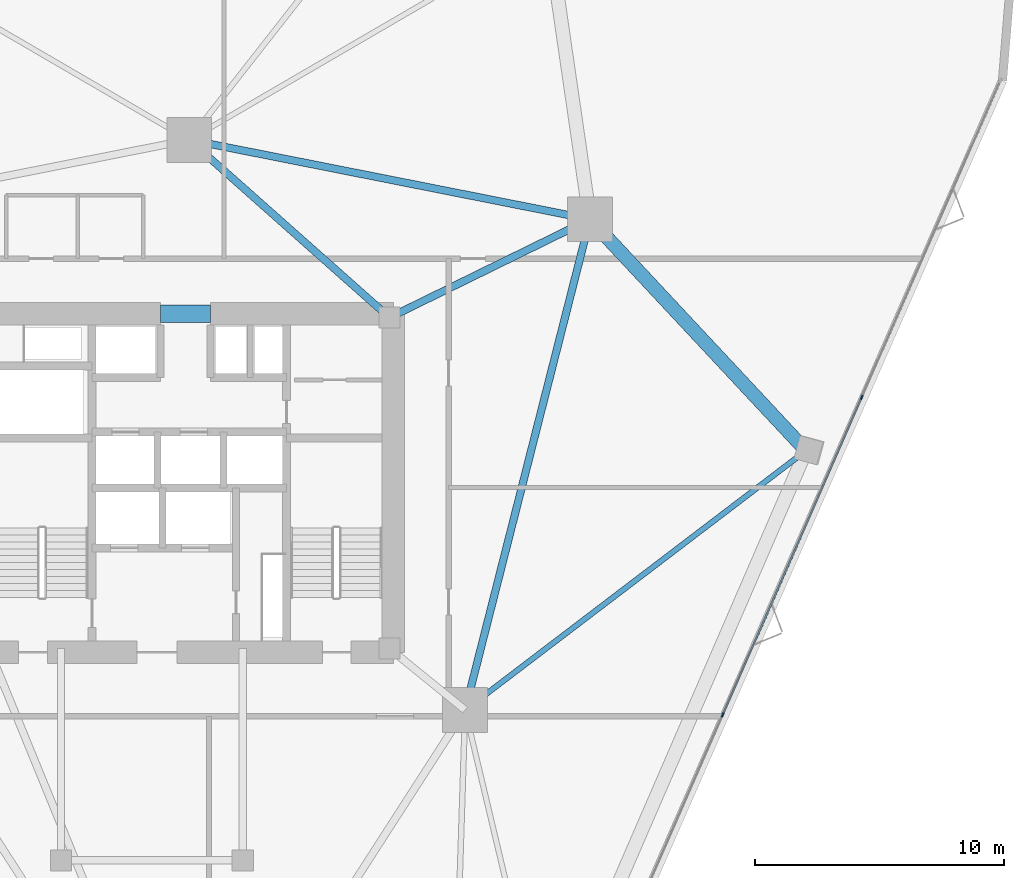
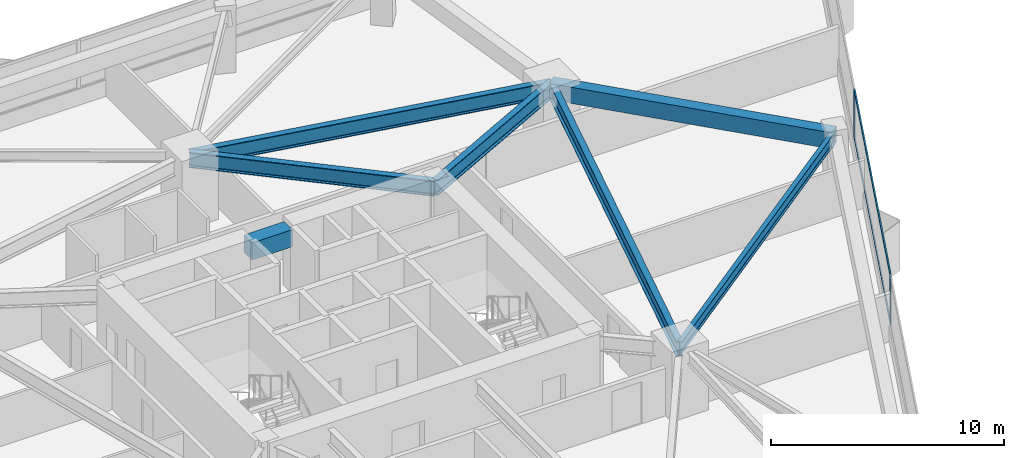
# One storey, part 10 of 20: 7 beams, 4 members, 1 element without a shape of its own.
"""IFC4 building model written with IfcOpenShell, lengths in metres."""

from ifc_helpers import new_model, si_unit, direction, frame, origin, origin_2d, place, context, subcontext, project, spatial, rectangle, i_section, extrude, material, layer, layer_set, material_profile, profile_set, type_object, element, aggregate, save


model = new_model("IFC4")

# Units and contexts
model_context = context("Model", 3, precision=1e-05, world=origin(), true_north=direction((0.0, 1.0)))
body_context = subcontext(model_context, "Body", "Model", "MODEL_VIEW")
ifc_project = project(units=[si_unit("LENGTHUNIT", "METRE"), si_unit("AREAUNIT", "SQUARE_METRE"), si_unit("VOLUMEUNIT", "CUBIC_METRE"), si_unit("PLANEANGLEUNIT", "RADIAN"), si_unit("MASSUNIT", "GRAM", prefix="KILO")], contexts=[model_context])

# Site, building, storey
site_placement = place(None, origin())
site = spatial("IfcSite", under=ifc_project, at=site_placement, CompositionType="ELEMENT")
building_placement = place(site_placement, origin())
building = spatial("IfcBuilding", under=site, at=building_placement, Name="Talyreon Biosciences Tower", CompositionType="ELEMENT")
storey_placement = place(building_placement, frame((0.0, 0.0, 59.300048828125)))
storey = spatial("IfcBuildingStorey", under=building, at=storey_placement, Name="L15", CompositionType="ELEMENT", Elevation=59.300048828125)

# Curtain wall, members
ifc_material_1 = material(Name="Thermally broken aluminium and low-E glazing", Category="aluminium")
ifc_layer = layer(ifc_material_1, 0.195068359375)
ifc_layer_set = layer_set([ifc_layer], Name="Thermally broken aluminium and low-E glazing")
curtain_wall_type = type_object("IfcCurtainWallType", Name="CurtainWall_Zone1WetLab", PredefinedType="NOTDEFINED", material=ifc_layer_set)
curtain_wall_placement = place(storey_placement, origin())
curtain_wall = element("IfcCurtainWall", 1, at=curtain_wall_placement, inside=storey, type_object=curtain_wall_type, Name="L15 Unitised Curtain Wall FCW-L15-08", PredefinedType="NOTDEFINED")
ifc_material_2 = material(Name="Anodised thermally broken aluminium", Category="aluminium")
ifc_material_profile_1 = material_profile(ifc_material_2, rectangle(XDim=0.06494140625, YDim=0.179931640625, at=origin_2d()), Name="ALUM MULLION 65x180")
ifc_profile_set_1 = profile_set([ifc_material_profile_1], Name="Anodised thermally broken aluminium")
member_type_1 = type_object("IfcMemberType", Name="CWMullion_65x180", PredefinedType="MULLION", material=ifc_profile_set_1)
member_1_placement = place(storey_placement, frame((93.022705078125, 71.4453125, 0.81005859375), z_axis=(0.0, 0.0, 1.0), x_axis=(0.916092182361, -0.400967721165, 0.0)))
member_1 = element("IfcMember", 2, at=member_1_placement, type_object=member_type_1, Name="CW2 mullion 2", PredefinedType="MULLION", context=body_context, shape_type="SweptSolid", body=[
    extrude(rectangle(XDim=0.06494140625, YDim=0.179931640625, at=origin_2d()), origin(), (0.0, 0.0, 1.0), 2.56494140625),
])
member_2_placement = place(storey_placement, frame((87.439697265625, 58.689453125, 0.81005859375), z_axis=(0.0, 0.0, 1.0), x_axis=(0.916092182361, -0.400967721165, 0.0)))
member_2 = element("IfcMember", 3, at=member_2_placement, type_object=member_type_1, Name="CW2 mullion 3", PredefinedType="MULLION", context=body_context, shape_type="SweptSolid", body=[
    extrude(rectangle(XDim=0.06494140625, YDim=0.179931640625, at=origin_2d()), origin(), (0.0, 0.0, 1.0), 2.56494140625),
])
ifc_material_profile_2 = material_profile(ifc_material_2, rectangle(XDim=0.06494140625, YDim=0.139892578125, at=origin_2d()), Name="ALUM TRANSOM 65x140")
ifc_profile_set_2 = profile_set([ifc_material_profile_2], Name="Anodised thermally broken aluminium")
member_type_2 = type_object("IfcMemberType", Name="CWTransom_65x140", PredefinedType="USERDEFINED", material=ifc_profile_set_2)
member_3_placement = place(storey_placement, frame((93.009765625, 71.41552734375, 0.842529296875), z_axis=(-0.400970381999, -0.916091017727, 0.0), x_axis=(0.916091017727, -0.400970381999, 0.0)))
member_3 = element("IfcMember", 4, at=member_3_placement, type_object=member_type_2, Name="CW2 transom 2.1", ObjectType="TRANSOM", PredefinedType="USERDEFINED", context=body_context, shape_type="SweptSolid", body=[
    extrude(rectangle(XDim=0.06494140625, YDim=0.139892578125, at=origin_2d()), origin(), (0.0, 0.0, 1.0), 13.859130859375),
])
member_4_placement = place(storey_placement, frame((93.009765625, 71.41552734375, 3.342529296875), z_axis=(-0.400970381999, -0.916091017727, 0.0), x_axis=(0.916091017727, -0.400970381999, 0.0)))
member_4 = element("IfcMember", 5, at=member_4_placement, type_object=member_type_2, Name="CW2 transom 2.2", ObjectType="TRANSOM", PredefinedType="USERDEFINED", context=body_context, shape_type="SweptSolid", body=[
    extrude(rectangle(XDim=0.06494140625, YDim=0.139892578125, at=origin_2d()), origin(), (0.0, 0.0, 1.0), 13.859130859375),
])
aggregate(curtain_wall, [member_1, member_2, member_3, member_4])

# Beams
ifc_material_3 = material(Name="Concrete C60/75", Category="concrete")
ifc_material_profile_3 = material_profile(ifc_material_3, rectangle(XDim=0.699951171875, YDim=0.89990234375, at=origin_2d()), Name="RCB 700x900")
ifc_profile_set_3 = profile_set([ifc_material_profile_3], Name="Concrete C60/75")
beam_type_1 = type_object("IfcBeamType", Name="CoreCouplingLintel_700x900", PredefinedType="LINTEL", material=ifc_profile_set_3)
beam_1_placement = place(storey_placement, frame((64.85009765625, 74.800048828125, 2.925048828125), z_axis=(1.0, 0.0, 0.0), x_axis=(0.0, 1.0, 0.0)))
element("IfcBeam", 6, at=beam_1_placement, inside=storey, type_object=beam_type_1, Name="L15 Core Coupling Lintel", PredefinedType="LINTEL", context=body_context, shape_type="SweptSolid", body=[
    extrude(rectangle(XDim=0.699951171875, YDim=0.89990234375, at=origin_2d()), origin(), (0.0, 0.0, 1.0), 2.0),
])
ifc_material_4 = material(Name="Precast concrete C45/55", Category="concrete")
ifc_material_profile_4 = material_profile(ifc_material_4, rectangle(XDim=0.550048828125, YDim=0.85009765625, at=origin_2d()), Name="RCB 550x850")
ifc_profile_set_4 = profile_set([ifc_material_profile_4], Name="Precast concrete C45/55")
beam_type_2 = type_object("IfcBeamType", Name="ExpressedSpandrel_550x850", PredefinedType="SPANDREL", material=ifc_profile_set_4)
beam_2_placement = place(storey_placement, frame((90.78271484375, 69.30224609375, 2.949951171875), z_axis=(-0.682477584417, 0.730906523961, 0.0), x_axis=(-0.730906523961, -0.682477584417, 0.0)))
element("IfcBeam", 7, at=beam_2_placement, inside=storey, type_object=beam_type_2, Name="L15 Expressed Horizontal Concrete Spandrel 04", PredefinedType="SPANDREL", context=body_context, shape_type="SweptSolid", body=[
    extrude(rectangle(XDim=0.550048828125, YDim=0.85009765625, at=origin_2d()), origin(), (0.0, 0.0, 1.0), 12.718994140625),
])
ifc_material_5 = material(Name="Steel SM355", Category="steel")
ifc_material_profile_5 = material_profile(ifc_material_5, i_section(OverallWidth=0.300048828125, OverallDepth=0.800048828125, WebThickness=0.017578125, FlangeThickness=0.032958984375, FilletRadius=0.030029296875, at=origin_2d()), Name="HE800B")
ifc_profile_set_5 = profile_set([ifc_material_profile_5], Name="Steel SM355")
beam_type_3 = type_object("IfcBeamType", Name="SteelGirder_HE800B", PredefinedType="BEAM", material=ifc_profile_set_5)
beam_3_placement = place(storey_placement, frame((77.086181640625, 58.88037109375, 2.974853515625), z_axis=(0.246537082299, 0.969133358755, 0.0), x_axis=(-0.969133358755, 0.246537082299, 0.0)))
element("IfcBeam", 8, at=beam_3_placement, inside=storey, type_object=beam_type_3, Name="L15 Mega-Ring Girder 2", PredefinedType="BEAM", context=body_context, shape_type="SweptSolid", body=[
    extrude(i_section(OverallWidth=0.300048828125, OverallDepth=0.800048828125, WebThickness=0.017578125, FlangeThickness=0.032958984375, FilletRadius=0.030029296875, at=origin_2d()), origin(), (0.0, 0.0, 1.0), 20.34619140625),
])
beam_4_placement = place(storey_placement, frame((82.102294921875, 78.5986328125, 2.974853515625), z_axis=(-0.980933730698, 0.194342522311, 0.0), x_axis=(-0.194342522311, -0.980933730698, 0.0)))
element("IfcBeam", 9, at=beam_4_placement, inside=storey, type_object=beam_type_3, Name="L15 Mega-Ring Girder 3", PredefinedType="BEAM", context=body_context, shape_type="SweptSolid", body=[
    extrude(i_section(OverallWidth=0.300048828125, OverallDepth=0.800048828125, WebThickness=0.017578125, FlangeThickness=0.032958984375, FilletRadius=0.030029296875, at=origin_2d()), origin(), (0.0, 0.0, 1.0), 16.415283203125),
])
beam_5_placement = place(storey_placement, frame((74.050048828125, 74.64990234375, 2.974853515625), z_axis=(0.897852360314, 0.440296648952, 0.0), x_axis=(-0.440296648952, 0.897852360314, 0.0)))
element("IfcBeam", 10, at=beam_5_placement, inside=storey, type_object=beam_type_3, Name="L15 Radial Primary Girder 3", PredefinedType="BEAM", context=body_context, shape_type="SweptSolid", body=[
    extrude(i_section(OverallWidth=0.300048828125, OverallDepth=0.800048828125, WebThickness=0.017578125, FlangeThickness=0.032958984375, FilletRadius=0.030029296875, at=origin_2d()), origin(), (0.0, 0.0, 1.0), 8.96826171875),
])
beam_6_placement = place(storey_placement, frame((74.050048828125, 74.64990234375, 2.974853515625), z_axis=(-0.748178733955, 0.663497235908, 0.0), x_axis=(-0.663497235908, -0.748178733955, 0.0)))
element("IfcBeam", 11, at=beam_6_placement, inside=storey, type_object=beam_type_3, Name="L15 Radial Primary Girder 4", PredefinedType="BEAM", context=body_context, shape_type="SweptSolid", body=[
    extrude(i_section(OverallWidth=0.300048828125, OverallDepth=0.800048828125, WebThickness=0.017578125, FlangeThickness=0.032958984375, FilletRadius=0.030029296875, at=origin_2d()), origin(), (0.0, 0.0, 1.0), 10.759521484375),
])
ifc_material_profile_6 = material_profile(ifc_material_5, i_section(OverallWidth=0.219970703125, OverallDepth=0.60009765625, WebThickness=0.011962890625, FlangeThickness=0.01904296875, FilletRadius=0.02392578125, at=origin_2d()), Name="IPE600")
ifc_profile_set_6 = profile_set([ifc_material_profile_6], Name="Steel SM355")
beam_type_4 = type_object("IfcBeamType", Name="SteelJoist_IPE600", PredefinedType="JOIST", material=ifc_profile_set_6)
beam_7_placement = place(storey_placement, frame((77.086181640625, 58.88037109375, 3.074951171875), z_axis=(0.795811901528, 0.605543902113, 0.0), x_axis=(-0.605543902113, 0.795811901528, 0.0)))
element("IfcBeam", 12, at=beam_7_placement, inside=storey, type_object=beam_type_4, Name="L15 Radial Composite Floor Joist PC-SE2", PredefinedType="JOIST", context=body_context, shape_type="SweptSolid", body=[
    extrude(i_section(OverallWidth=0.219970703125, OverallDepth=0.60009765625, WebThickness=0.011962890625, FlangeThickness=0.01904296875, FilletRadius=0.02392578125, at=origin_2d()), origin(), (0.0, 0.0, 1.0), 17.210693359375),
])

save(model, "model.ifc")
